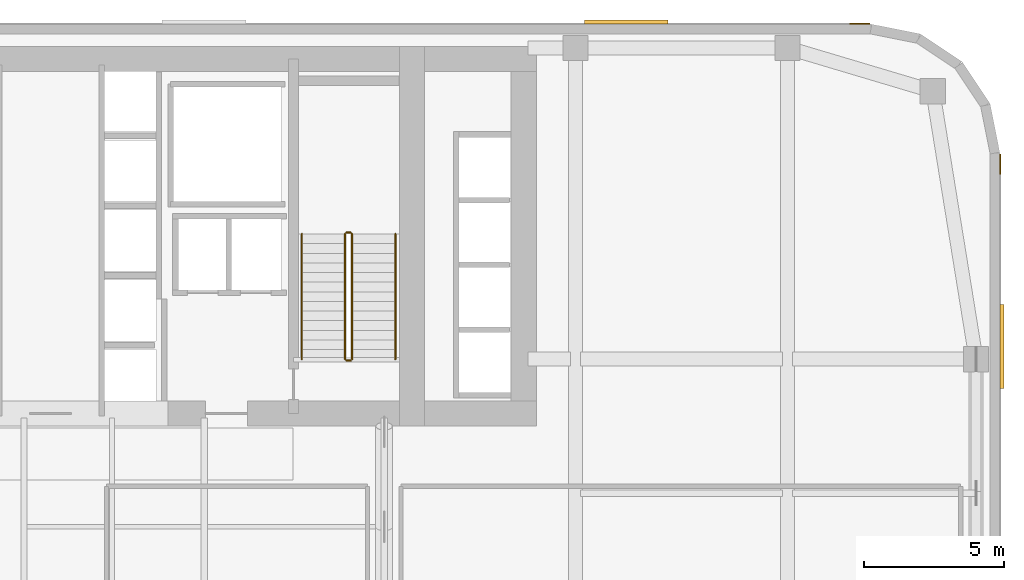
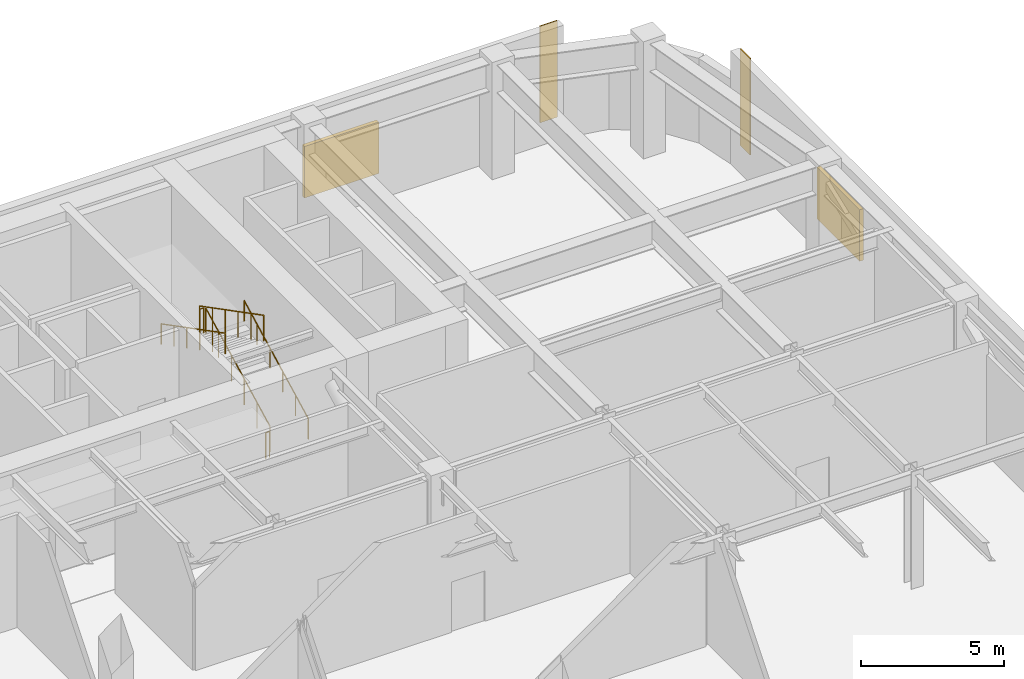
# One storey, part 11 of 11: 6 railings, 2 coverings, 2 shading devices.
"""IFC4 building model written with IfcOpenShell, lengths in metres."""

from ifc_helpers import new_model, si_unit, direction, frame, origin, origin_2d, place, context, subcontext, project, spatial, polyline, circle, outline, extrude, material, layer, layer_set, type_object, element, save


model = new_model("IFC4")

# Units and contexts
model_context = context("Model", 3, precision=1e-05, world=origin(), true_north=direction((0.0, 1.0)))
body_context = subcontext(model_context, "Body", "Model", "MODEL_VIEW")
ifc_project = project(units=[si_unit("LENGTHUNIT", "METRE"), si_unit("AREAUNIT", "SQUARE_METRE"), si_unit("VOLUMEUNIT", "CUBIC_METRE"), si_unit("PLANEANGLEUNIT", "RADIAN"), si_unit("MASSUNIT", "GRAM", prefix="KILO")], contexts=[model_context])

# Site, building, storey
site_placement = place(None, origin())
site = spatial("IfcSite", under=ifc_project, at=site_placement, CompositionType="ELEMENT")
building_placement = place(site_placement, origin())
building = spatial("IfcBuilding", under=site, at=building_placement, Name="Tolvann Quenvar Hotel", CompositionType="ELEMENT")
storey_placement = place(building_placement, frame((0.0, 0.0, 95.89990234375)))
storey = spatial("IfcBuildingStorey", under=building, at=storey_placement, Name="L24", CompositionType="ELEMENT", Elevation=95.89990234375)

# Coverings
ifc_material_1 = material(Name="Kiln-fired red architectural face brick cladding", Category="masonry")
ifc_layer = layer(ifc_material_1, 0.0400390625)
ifc_layer_set = layer_set([ifc_layer], Name="Kiln-fired red architectural face brick cladding")
covering_type = type_object("IfcCoveringType", Name="COV_CLAD_BRICK_40", PredefinedType="CLADDING", material=ifc_layer_set)
covering_1_placement = place(storey_placement, frame((0.0, 0.0, 0.7001953125)))
element("IfcCovering", 1, at=covering_1_placement, inside=storey, type_object=covering_type, Name="Brick Pier Cladding (L24-E13-P2)", PredefinedType="CLADDING", context=body_context, shape_type="SweptSolid", body=[
    extrude(outline(polyline([(57.0, 40.6328125), (57.0, 41.332763671875), (57.0400390625, 41.332763671875), (57.0400390625, 40.6328125), (57.0, 40.6328125)])), origin(), (0.0, 0.0, 1.0), 4.119873046875),
])
covering_2_placement = place(storey_placement, frame((0.0, 0.0, 0.7001953125)))
element("IfcCovering", 2, at=covering_2_placement, inside=storey, type_object=covering_type, Name="Brick Pier Cladding (L24-E18-P1)", PredefinedType="CLADDING", context=body_context, shape_type="SweptSolid", body=[
    extrude(outline(polyline([(52.332763671875, 46.0), (51.6328125, 46.0), (51.6328125, 46.0400390625), (52.332763671875, 46.0400390625), (52.332763671875, 46.0)])), origin(), (0.0, 0.0, 1.0), 4.119873046875),
])

# Railings
ifc_material_2 = material(Name="Brushed 316 stainless steel balustrade and handrail", Category="steel")
railing_type_1 = type_object("IfcRailingType", Name="GUARDRAIL", PredefinedType="GUARDRAIL", material=ifc_material_2)
railing_1_placement = place(storey_placement, frame((33.800048828125, 34.0, 0.1787109375)))
element("IfcRailing", 3, at=railing_1_placement, inside=storey, type_object=railing_type_1, Name="L24 ST-C2 stair guard 1", PredefinedType="GUARDRAIL", context=body_context, shape_type="SweptSolid", body=[
    extrude(circle(Radius=0.02392578125, at=origin_2d()), frame((0.0, 0.0, 1.09619140625), z_axis=(0.0, 0.888104015157, 0.459642533129), x_axis=(-1.0, 0.0, 0.0)), (0.0, 0.0, 1.0), 5.05029296875),
    extrude(circle(Radius=0.02099609375, at=origin_2d()), origin(), (0.0, 0.0, 1.0), 1.072021484375),
    extrude(circle(Radius=0.02099609375, at=origin_2d()), frame((0.0, 0.89697265625, 0.46435546875)), (0.0, 0.0, 1.0), 1.072021484375),
    extrude(circle(Radius=0.02099609375, at=origin_2d()), frame((0.0, 1.7939453125, 0.928466796875)), (0.0, 0.0, 1.0), 1.072021484375),
    extrude(circle(Radius=0.02099609375, at=origin_2d()), frame((0.0, 2.691162109375, 1.392822265625)), (0.0, 0.0, 1.0), 1.072021484375),
    extrude(circle(Radius=0.02099609375, at=origin_2d()), frame((0.0, 3.588134765625, 1.85693359375)), (0.0, 0.0, 1.0), 1.072021484375),
    extrude(circle(Radius=0.02099609375, at=origin_2d()), frame((0.0, 4.485107421875, 2.3212890625)), (0.0, 0.0, 1.0), 1.072021484375),
])
railing_2_placement = place(storey_placement, frame((33.75, 38.534912109375, 2.5)))
element("IfcRailing", 4, at=railing_2_placement, inside=storey, type_object=railing_type_1, Name="L24 ST-C2 stair guard 2", PredefinedType="GUARDRAIL", context=body_context, shape_type="SweptSolid", body=[
    extrude(circle(Radius=0.02392578125, at=origin_2d()), frame((0.0, 0.0, 1.09619140625), z_axis=(-1.0, 0.0, 0.0), x_axis=(0.0, -1.0, 0.0)), (0.0, 0.0, 1.0), 0.14990234375),
    extrude(circle(Radius=0.02099609375, at=origin_2d()), origin(), (0.0, 0.0, 1.0), 1.072021484375),
    extrude(circle(Radius=0.02099609375, at=origin_2d()), frame((-0.14990234375, 0.0, 0.0)), (0.0, 0.0, 1.0), 1.072021484375),
])
railing_3_placement = place(storey_placement, frame((33.550048828125, 38.485107421875, 2.6787109375)))
element("IfcRailing", 5, at=railing_3_placement, inside=storey, type_object=railing_type_1, Name="L24 ST-C2 stair guard 3", PredefinedType="GUARDRAIL", context=body_context, shape_type="SweptSolid", body=[
    extrude(circle(Radius=0.02392578125, at=origin_2d()), frame((0.0, 0.0, 1.09619140625), z_axis=(0.0, -0.888104015157, 0.459642533129), x_axis=(1.0, 0.0, 0.0)), (0.0, 0.0, 1.0), 5.05029296875),
    extrude(circle(Radius=0.02099609375, at=origin_2d()), origin(), (0.0, 0.0, 1.0), 1.072021484375),
    extrude(circle(Radius=0.02099609375, at=origin_2d()), frame((0.0, -0.89697265625, 0.46435546875)), (0.0, 0.0, 1.0), 1.072021484375),
    extrude(circle(Radius=0.02099609375, at=origin_2d()), frame((0.0, -1.7939453125, 0.928466796875)), (0.0, 0.0, 1.0), 1.072021484375),
    extrude(circle(Radius=0.02099609375, at=origin_2d()), frame((0.0, -2.691162109375, 1.392822265625)), (0.0, 0.0, 1.0), 1.072021484375),
    extrude(circle(Radius=0.02099609375, at=origin_2d()), frame((0.0, -3.588134765625, 1.85693359375)), (0.0, 0.0, 1.0), 1.072021484375),
    extrude(circle(Radius=0.02099609375, at=origin_2d()), frame((0.0, -4.485107421875, 2.3212890625)), (0.0, 0.0, 1.0), 1.072021484375),
])
railing_4_placement = place(storey_placement, frame((33.75, 33.949951171875, 0.0)))
element("IfcRailing", 6, at=railing_4_placement, inside=storey, type_object=railing_type_1, Name="L24 ST-C2 stair guard 4", PredefinedType="GUARDRAIL", context=body_context, shape_type="SweptSolid", body=[
    extrude(circle(Radius=0.02392578125, at=origin_2d()), frame((0.0, 0.0, 1.09619140625), z_axis=(-1.0, 0.0, 0.0), x_axis=(0.0, -1.0, 0.0)), (0.0, 0.0, 1.0), 0.14990234375),
    extrude(circle(Radius=0.02099609375, at=origin_2d()), origin(), (0.0, 0.0, 1.0), 1.072021484375),
    extrude(circle(Radius=0.02099609375, at=origin_2d()), frame((-0.14990234375, 0.0, 0.0)), (0.0, 0.0, 1.0), 1.072021484375),
])
railing_type_2 = type_object("IfcRailingType", Name="HANDRAIL", PredefinedType="HANDRAIL", material=ifc_material_2)
railing_5_placement = place(storey_placement, frame((35.35009765625, 34.0, 0.1787109375)))
element("IfcRailing", 7, at=railing_5_placement, inside=storey, type_object=railing_type_2, Name="L24 ST-C2 stair handrail 1", PredefinedType="HANDRAIL", context=body_context, shape_type="SweptSolid", body=[
    extrude(circle(Radius=0.02392578125, at=origin_2d()), frame((0.0, 0.0, 0.8759765625), z_axis=(0.0, 0.888104015157, 0.459642533129), x_axis=(-1.0, 0.0, 0.0)), (0.0, 0.0, 1.0), 5.05029296875),
    extrude(circle(Radius=0.02099609375, at=origin_2d()), origin(), (0.0, 0.0, 1.0), 0.851806640625),
    extrude(circle(Radius=0.02099609375, at=origin_2d()), frame((0.0, 0.89697265625, 0.46435546875)), (0.0, 0.0, 1.0), 0.851806640625),
    extrude(circle(Radius=0.02099609375, at=origin_2d()), frame((0.0, 1.7939453125, 0.928466796875)), (0.0, 0.0, 1.0), 0.851806640625),
    extrude(circle(Radius=0.02099609375, at=origin_2d()), frame((0.0, 2.691162109375, 1.392822265625)), (0.0, 0.0, 1.0), 0.851806640625),
    extrude(circle(Radius=0.02099609375, at=origin_2d()), frame((0.0, 3.588134765625, 1.85693359375)), (0.0, 0.0, 1.0), 0.851806640625),
    extrude(circle(Radius=0.02099609375, at=origin_2d()), frame((0.0, 4.485107421875, 2.3212890625)), (0.0, 0.0, 1.0), 0.851806640625),
])
railing_6_placement = place(storey_placement, frame((32.0, 38.485107421875, 2.6787109375)))
element("IfcRailing", 8, at=railing_6_placement, inside=storey, type_object=railing_type_2, Name="L24 ST-C2 stair handrail 2", PredefinedType="HANDRAIL", context=body_context, shape_type="SweptSolid", body=[
    extrude(circle(Radius=0.02392578125, at=origin_2d()), frame((0.0, 0.0, 0.8759765625), z_axis=(0.0, -0.888104015157, 0.459642533129), x_axis=(1.0, 0.0, 0.0)), (0.0, 0.0, 1.0), 5.05029296875),
    extrude(circle(Radius=0.02099609375, at=origin_2d()), origin(), (0.0, 0.0, 1.0), 0.851806640625),
    extrude(circle(Radius=0.02099609375, at=origin_2d()), frame((0.0, -0.89697265625, 0.46435546875)), (0.0, 0.0, 1.0), 0.851806640625),
    extrude(circle(Radius=0.02099609375, at=origin_2d()), frame((0.0, -1.7939453125, 0.928466796875)), (0.0, 0.0, 1.0), 0.851806640625),
    extrude(circle(Radius=0.02099609375, at=origin_2d()), frame((0.0, -2.691162109375, 1.392822265625)), (0.0, 0.0, 1.0), 0.851806640625),
    extrude(circle(Radius=0.02099609375, at=origin_2d()), frame((0.0, -3.588134765625, 1.85693359375)), (0.0, 0.0, 1.0), 0.851806640625),
    extrude(circle(Radius=0.02099609375, at=origin_2d()), frame((0.0, -4.485107421875, 2.3212890625)), (0.0, 0.0, 1.0), 0.851806640625),
])

# Shading devices
ifc_material_3 = material(Name="Extruded bronze-anodised aluminium acoustic weather louvre", Category="aluminium")
shading_device_type = type_object("IfcShadingDeviceType", Name="SHD_LOUVRE_AL", PredefinedType="JALOUSIE", material=ifc_material_3)
shading_device_1_placement = place(storey_placement, frame((0.0, 0.0, 0.820068359375)))
element("IfcShadingDevice", 9, at=shading_device_1_placement, inside=storey, type_object=shading_device_type, Name="Acoustic Plant Weather Louvre (L24-E13-3)", PredefinedType="JALOUSIE", context=body_context, shape_type="SweptSolid", body=[
    extrude(outline(polyline([(57.0, 32.955078125), (57.0, 35.955078125), (57.14990234375, 35.955078125), (57.14990234375, 32.955078125), (57.0, 32.955078125)])), origin(), (0.0, 0.0, 1.0), 2.199951171875),
])
shading_device_2_placement = place(storey_placement, frame((0.0, 0.0, 0.820068359375)))
element("IfcShadingDevice", 10, at=shading_device_2_placement, inside=storey, type_object=shading_device_type, Name="Acoustic Plant Weather Louvre (L24-E18-1)", PredefinedType="JALOUSIE", context=body_context, shape_type="SweptSolid", body=[
    extrude(outline(polyline([(45.121826171875, 46.0), (42.121826171875, 46.0), (42.121826171875, 46.14990234375), (45.121826171875, 46.14990234375), (45.121826171875, 46.0)])), origin(), (0.0, 0.0, 1.0), 2.199951171875),
])

save(model, "model.ifc")
